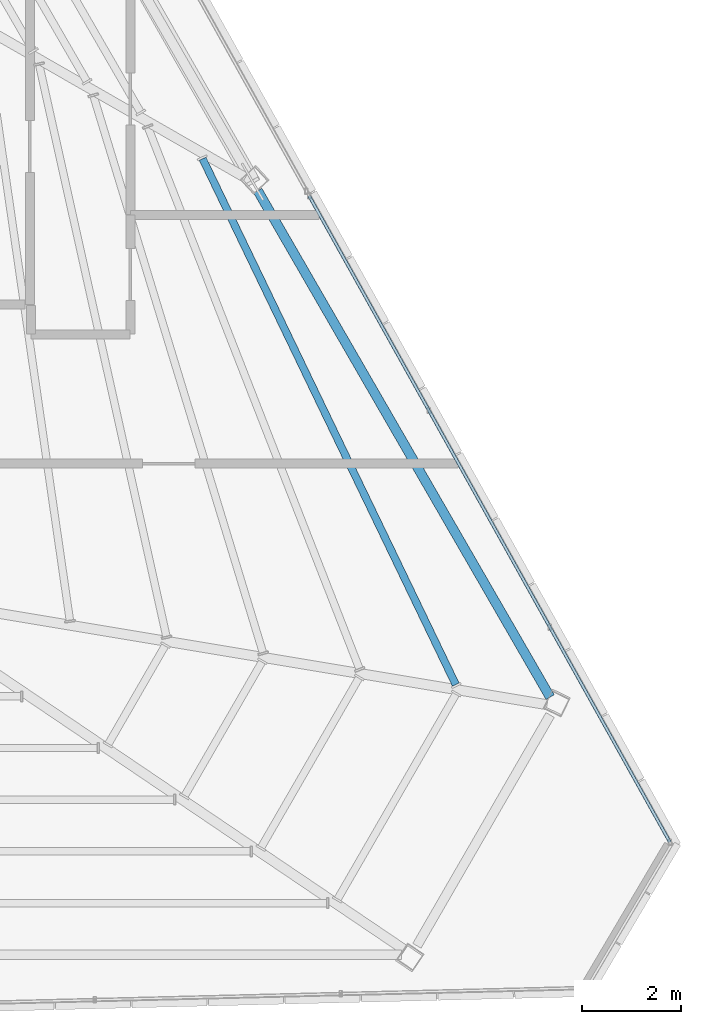
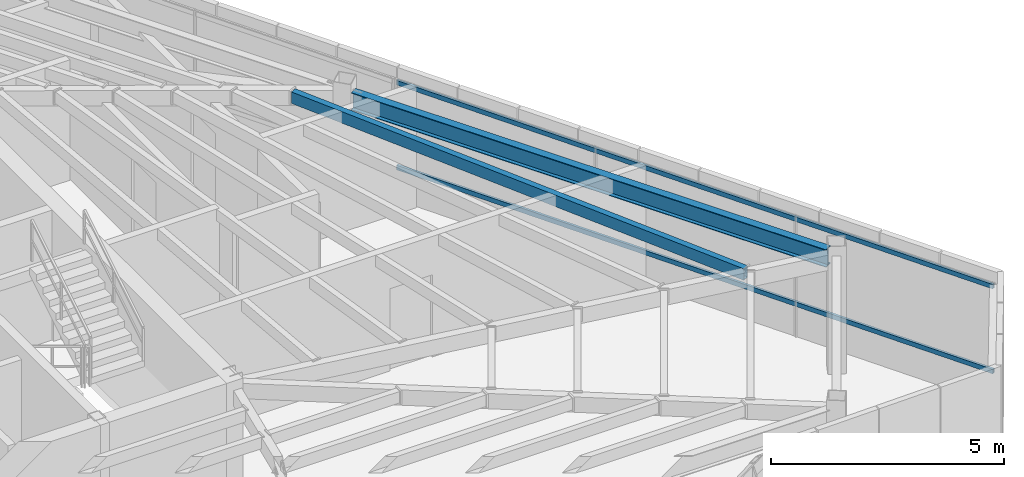
# One storey, part 26 of 47: 2 beams, 2 members, 1 element without a shape of its own.
"""IFC4 building model written with IfcOpenShell, lengths in metres."""

from ifc_helpers import new_model, si_unit, direction, frame, origin, origin_2d, place, context, subcontext, project, spatial, hollow_rectangle, i_section, extrude, source, transform, mapped, material, material_profile, profile_set, type_object, type_shapes, element, aggregate, save


model = new_model("IFC4")

# Units and contexts
model_context = context("Model", 3, precision=1e-05, world=origin(), true_north=direction((0.0, 1.0)))
body_context = subcontext(model_context, "Body", "Model", "MODEL_VIEW")
ifc_project = project(units=[si_unit("LENGTHUNIT", "METRE"), si_unit("AREAUNIT", "SQUARE_METRE"), si_unit("VOLUMEUNIT", "CUBIC_METRE"), si_unit("PLANEANGLEUNIT", "RADIAN"), si_unit("MASSUNIT", "GRAM", prefix="KILO")], contexts=[model_context])

# Site, building, storey
site_placement = place(None, origin())
site = spatial("IfcSite", under=ifc_project, at=site_placement, CompositionType="ELEMENT")
building_placement = place(site_placement, origin())
building = spatial("IfcBuilding", under=site, at=building_placement, Name="Caelisora Broadcast Tower", CompositionType="ELEMENT")
storey_placement = place(building_placement, frame((0.0, 0.0, 293.199951171875)))
storey = spatial("IfcBuildingStorey", under=building, at=storey_placement, Name="L77", CompositionType="ELEMENT", Elevation=293.199951171875)

# Beams
ifc_material_1 = material(Name="Steel Grade 350 (AS/NZS 3679.1)", Category="steel")
ifc_material_profile_1 = material_profile(ifc_material_1, i_section(OverallWidth=0.19091796875, OverallDepth=0.46044921875, WebThickness=0.010009765625, FlangeThickness=0.01611328125, at=origin_2d()), Name="Steel Grade 350 (AS/NZS 3679.1)")
ifc_profile_set_1 = profile_set([ifc_material_profile_1], Name="Steel Grade 350 (AS/NZS 3679.1)")
beam_type_1 = type_object("IfcBeamType", Name="PG06", PredefinedType="BEAM", material=ifc_profile_set_1)
shared_shape_1 = source(origin(), body_context, "Body", "SweptSolid", [
    extrude(i_section(OverallWidth=0.19091796875, OverallDepth=0.46044921875, WebThickness=0.010009765625, FlangeThickness=0.01611328125, at=origin_2d()), origin(), (0.0, 0.0, 1.0), 11.75439453125),
])
type_shapes(beam_type_1, [shared_shape_1])
beam_1_placement = place(storey_placement, frame((59.037109375, 15.306396484375, 2.919921875), z_axis=(-0.499996933965, 0.866027173954, 0.0), x_axis=(-0.866027173954, -0.499996933965, 0.0)))
element("IfcBeam", 1, at=beam_1_placement, inside=storey, type_object=beam_type_1, Name="L77 beam PG06", PredefinedType="BEAM", context=body_context, shape_type="MappedRepresentation", body=[
    mapped(shared_shape_1, transform((0.0, 0.0, 0.0), scale=1.0)),
])
ifc_material_2 = material(Name="Steel Grade 350 (AS/NZS 1163 C350L0)", Category="steel")
ifc_material_profile_2 = material_profile(ifc_material_2, hollow_rectangle(XDim=0.14990234375, YDim=0.300048828125, WallThickness=0.010009765625, at=origin_2d()), Name="Steel Grade 350 (AS/NZS 1163 C350L0)")
ifc_profile_set_2 = profile_set([ifc_material_profile_2], Name="Steel Grade 350 (AS/NZS 1163 C350L0)")
beam_type_2 = type_object("IfcBeamType", Name="SB05", PredefinedType="JOIST", material=ifc_profile_set_2)
shared_shape_2 = source(origin(), body_context, "Body", "SweptSolid", [
    extrude(hollow_rectangle(XDim=0.14990234375, YDim=0.300048828125, WallThickness=0.010009765625, at=origin_2d()), origin(), (0.0, 0.0, 1.0), 11.73095703125),
])
type_shapes(beam_type_2, [shared_shape_2])
beam_2_placement = place(storey_placement, frame((57.140380859375, 15.55859375, 3.0), z_axis=(-0.433752418544, 0.901032096769, 0.0), x_axis=(-0.901032096769, -0.433752418544, 0.0)))
element("IfcBeam", 2, at=beam_2_placement, inside=storey, type_object=beam_type_2, Name="L77 beam SB05", PredefinedType="JOIST", context=body_context, shape_type="MappedRepresentation", body=[
    mapped(shared_shape_2, transform((0.0, 0.0, 0.0), scale=1.0)),
])

# Curtain wall, members
ifc_material_3 = material(Name="Unitised Aluminium Insulated Shadow-Box Spandrel Curtain Wall", Category="aluminium")
curtain_wall_type = type_object("IfcCurtainWallType", Name="CW-SP3", PredefinedType="NOTDEFINED", material=ifc_material_3)
curtain_wall_placement = place(storey_placement, origin())
curtain_wall = element("IfcCurtainWall", 3, at=curtain_wall_placement, inside=storey, type_object=curtain_wall_type, Name="L77 curtain wall CW-SP3", PredefinedType="NOTDEFINED")
ifc_material_4 = material(Name="Aluminium 6063-T6 Anodised Terracotta Bronze", Category="aluminium")
ifc_material_profile_3 = material_profile(ifc_material_4, hollow_rectangle(XDim=0.06005859375, YDim=0.1201171875, WallThickness=0.0029296875, at=origin_2d()), Name="Aluminium 6063-T6 Anodised Terracotta Bronze")
ifc_profile_set_3 = profile_set([ifc_material_profile_3], Name="Aluminium 6063-T6 Anodised Terracotta Bronze")
member_type = type_object("IfcMemberType", Name="CWT-03", PredefinedType="USERDEFINED", material=ifc_profile_set_3)
shared_shape_3 = source(origin(), body_context, "Body", "SweptSolid", [
    extrude(hollow_rectangle(XDim=0.06005859375, YDim=0.1201171875, WallThickness=0.0029296875, at=origin_2d()), origin(), (0.0, 0.0, 1.0), 14.879638671875),
])
type_shapes(member_type, [shared_shape_3])
member_1_placement = place(storey_placement, frame((54.191162109375, 25.384033203125, 0.85009765625), z_axis=(0.487409799993, -0.873173342969, 0.0), x_axis=(0.873173342969, 0.487409799993, 0.0)))
member_1 = element("IfcMember", 4, at=member_1_placement, type_object=member_type, Name="L77-CW-B03 transom #1", ObjectType="TRANSOM", PredefinedType="USERDEFINED", context=body_context, shape_type="MappedRepresentation", body=[
    mapped(shared_shape_3, transform((0.0, 0.0, 0.0), scale=1.0)),
])
member_2_placement = place(storey_placement, frame((54.191162109375, 25.384033203125, 3.070068359375), z_axis=(0.487409799993, -0.873173342969, 0.0), x_axis=(0.873173342969, 0.487409799993, 0.0)))
member_2 = element("IfcMember", 5, at=member_2_placement, type_object=member_type, Name="L77-CW-B03 transom #2", ObjectType="TRANSOM", PredefinedType="USERDEFINED", context=body_context, shape_type="MappedRepresentation", body=[
    mapped(shared_shape_3, transform((0.0, 0.0, 0.0), scale=1.0)),
])
aggregate(curtain_wall, [member_1, member_2])

save(model, "model.ifc")
